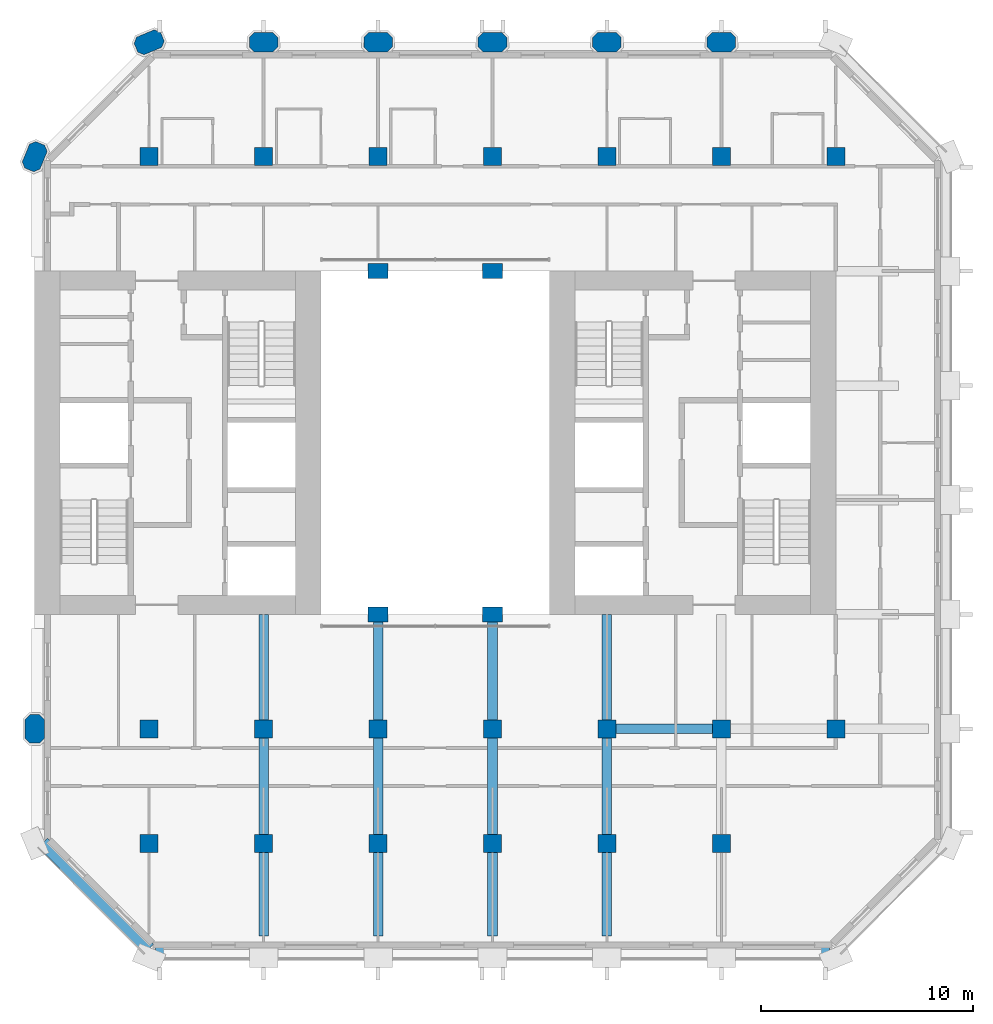
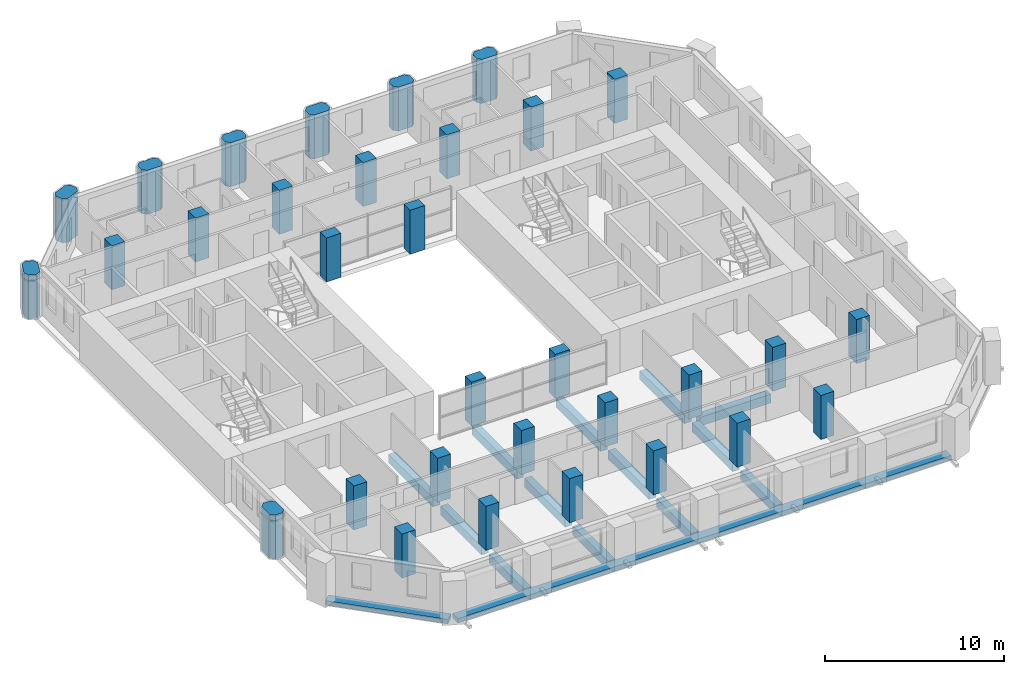
# One storey, part 1 of 13: 32 columns, 15 beams.
"""IFC4 building model written with IfcOpenShell, lengths in metres."""

from ifc_helpers import new_model, si_unit, direction, frame, origin, origin_2d, place, context, subcontext, project, spatial, polyline, rectangle, outline, extrude, material, material_profile, profile_set, type_object, element, save


model = new_model("IFC4")

# Units and contexts
model_context = context("Model", 3, precision=1e-05, world=origin(), true_north=direction((0.0, 1.0)))
body_context = subcontext(model_context, "Body", "Model", "MODEL_VIEW")
ifc_project = project(units=[si_unit("LENGTHUNIT", "METRE"), si_unit("AREAUNIT", "SQUARE_METRE"), si_unit("VOLUMEUNIT", "CUBIC_METRE"), si_unit("PLANEANGLEUNIT", "RADIAN"), si_unit("MASSUNIT", "GRAM", prefix="KILO")], contexts=[model_context])

# Site, building, storey
site_placement = place(None, origin())
site = spatial("IfcSite", under=ifc_project, at=site_placement, CompositionType="ELEMENT")
building_placement = place(site_placement, origin())
building = spatial("IfcBuilding", under=site, at=building_placement, Name="Tabaq Tower and Sports Hall", CompositionType="ELEMENT")
storey_placement = place(building_placement, frame((0.0, 0.0, 169.300048828125)))
storey = spatial("IfcBuildingStorey", under=building, at=storey_placement, Name="L40", CompositionType="ELEMENT", Elevation=169.300048828125)

# Columns
ifc_material_1 = material(Name="Concrete C50/60", Category="concrete")
ifc_material_profile_1 = material_profile(ifc_material_1, rectangle(XDim=0.949951171875, YDim=0.699951171875, at=origin_2d()), Name="ATRIUM COLUMN 950x700")
ifc_profile_set_1 = profile_set([ifc_material_profile_1], Name="Concrete C50/60")
column_type_1 = type_object("IfcColumnType", Name="RC COLUMN ATRIUM COLUMN 950x700 C50/60", PredefinedType="COLUMN", material=ifc_profile_set_1)
for number, where, z_axis, x_axis, name in (
    (1, (21.60009765625, 16.199951171875, 0.0), (0.0, 0.0, 1.0), (1.0, 0.0, 0.0), "Atrium Column 5/D L40"),
    (2, (27.0, 16.199951171875, 0.0), (0.0, 0.0, 1.0), (1.0, 0.0, 0.0), "Atrium Column 6/D L40"),
    (3, (21.60009765625, 32.39990234375, 0.0), (0.0, 0.0, 1.0), (1.0, 0.0, 0.0), "Atrium Column 5/G L40"),
    (4, (27.0, 32.39990234375, 0.0), (0.0, 0.0, 1.0), (1.0, 0.0, 0.0), "Atrium Column 6/G L40"),
):
    element("IfcColumn", number, at=place(storey_placement, frame(where, z_axis=z_axis, x_axis=x_axis)), inside=storey, type_object=column_type_1, Name=name, PredefinedType="COLUMN", context=body_context, shape_type="SweptSolid", body=[
        extrude(rectangle(XDim=0.949951171875, YDim=0.699951171875, at=origin_2d()), origin(), (0.0, 0.0, 1.0), 3.0),
    ])
ifc_material_2 = material(Name="Concrete C50/60", Category="concrete")
ifc_material_profile_2 = material_profile(ifc_material_2, rectangle(XDim=0.85009765625, YDim=0.85009765625, at=origin_2d()), Name="COLUMN 850x850")
ifc_profile_set_2 = profile_set([ifc_material_profile_2], Name="Concrete C50/60")
column_type_2 = type_object("IfcColumnType", Name="RC COLUMN COLUMN 850x850 C50/60", PredefinedType="COLUMN", material=ifc_profile_set_2)
for number, where, z_axis, x_axis, name in (
    (5, (10.800048828125, 5.39990234375, 0.0), (0.0, 0.0, 1.0), (1.0, 0.0, 0.0), "Column 3/B L40"),
    (6, (16.199951171875, 5.39990234375, 0.0), (0.0, 0.0, 1.0), (1.0, 0.0, 0.0), "Column 4/B L40"),
    (7, (21.60009765625, 5.39990234375, 0.0), (0.0, 0.0, 1.0), (1.0, 0.0, 0.0), "Column 5/B L40"),
    (8, (27.0, 5.39990234375, 0.0), (0.0, 0.0, 1.0), (1.0, 0.0, 0.0), "Column 6/B L40"),
    (9, (32.39990234375, 5.39990234375, 0.0), (0.0, 0.0, 1.0), (1.0, 0.0, 0.0), "Column 7/B L40"),
    (10, (37.800048828125, 5.39990234375, 0.0), (0.0, 0.0, 1.0), (1.0, 0.0, 0.0), "Column 8/B L40"),
    (11, (10.800048828125, 10.800048828125, 0.0), (0.0, 0.0, 1.0), (1.0, 0.0, 0.0), "Column 3/C L40"),
    (12, (16.199951171875, 10.800048828125, 0.0), (0.0, 0.0, 1.0), (1.0, 0.0, 0.0), "Column 4/C L40"),
    (13, (21.60009765625, 10.800048828125, 0.0), (0.0, 0.0, 1.0), (1.0, 0.0, 0.0), "Column 5/C L40"),
    (14, (27.0, 10.800048828125, 0.0), (0.0, 0.0, 1.0), (1.0, 0.0, 0.0), "Column 6/C L40"),
    (15, (32.39990234375, 10.800048828125, 0.0), (0.0, 0.0, 1.0), (1.0, 0.0, 0.0), "Column 7/C L40"),
    (16, (37.800048828125, 10.800048828125, 0.0), (0.0, 0.0, 1.0), (1.0, 0.0, 0.0), "Column 8/C L40"),
    (17, (43.199951171875, 10.800048828125, 0.0), (0.0, 0.0, 1.0), (1.0, 0.0, 0.0), "Column 9/C L40"),
    (18, (10.800048828125, 37.800048828125, 0.0), (0.0, 0.0, 1.0), (1.0, 0.0, 0.0), "Column 3/H L40"),
    (19, (16.199951171875, 37.800048828125, 0.0), (0.0, 0.0, 1.0), (1.0, 0.0, 0.0), "Column 4/H L40"),
    (20, (21.60009765625, 37.800048828125, 0.0), (0.0, 0.0, 1.0), (1.0, 0.0, 0.0), "Column 5/H L40"),
    (21, (27.0, 37.800048828125, 0.0), (0.0, 0.0, 1.0), (1.0, 0.0, 0.0), "Column 6/H L40"),
    (22, (32.39990234375, 37.800048828125, 0.0), (0.0, 0.0, 1.0), (1.0, 0.0, 0.0), "Column 7/H L40"),
    (23, (37.800048828125, 37.800048828125, 0.0), (0.0, 0.0, 1.0), (1.0, 0.0, 0.0), "Column 8/H L40"),
    (24, (43.199951171875, 37.800048828125, 0.0), (0.0, 0.0, 1.0), (1.0, 0.0, 0.0), "Column 9/H L40"),
):
    element("IfcColumn", number, at=place(storey_placement, frame(where, z_axis=z_axis, x_axis=x_axis)), inside=storey, type_object=column_type_2, Name=name, PredefinedType="COLUMN", context=body_context, shape_type="SweptSolid", body=[
        extrude(rectangle(XDim=0.85009765625, YDim=0.85009765625, at=origin_2d()), origin(), (0.0, 0.0, 1.0), 3.0),
    ])
ifc_material_3 = material(Name="Concrete C50/60", Category="concrete")
ifc_material_profile_3 = material_profile(ifc_material_3, outline(polyline([(-0.449951171875, -0.449951171875), (0.449951171875, -0.449951171875), (0.675048828125, -0.22509765625), (0.675048828125, 0.22509765625), (0.449951171875, 0.449951171875), (-0.449951171875, 0.449951171875), (-0.675048828125, 0.22509765625), (-0.675048828125, -0.22509765625), (-0.449951171875, -0.449951171875)])), Name="PIER 1350x900")
ifc_profile_set_3 = profile_set([ifc_material_profile_3], Name="Concrete C50/60")
column_type_3 = type_object("IfcColumnType", Name="RC COLUMN PIER 1350x900 C50/60", PredefinedType="COLUMN", material=ifc_profile_set_3)
for number, where, z_axis, x_axis, name in (
    (25, (5.39990234375, 10.800048828125, 0.0), (0.0, 0.0, 1.0), (0.0, 1.0, 0.0), "Pier 2/C L40"),
    (26, (5.39990234375, 37.800048828125, 0.0), (0.0, 0.0, 1.0), (0.382683432365, 0.923879532511, 0.0), "Pier 2/H L40"),
    (27, (10.800048828125, 43.199951171875, 0.0), (0.0, 0.0, 1.0), (0.923879532511, 0.382683432365, 0.0), "Pier 3/I L40"),
    (28, (16.199951171875, 43.199951171875, 0.0), (0.0, 0.0, 1.0), (1.0, 0.0, 0.0), "Pier 4/I L40"),
    (29, (21.60009765625, 43.199951171875, 0.0), (0.0, 0.0, 1.0), (1.0, 0.0, 0.0), "Pier 5/I L40"),
    (30, (27.0, 43.199951171875, 0.0), (0.0, 0.0, 1.0), (1.0, 0.0, 0.0), "Pier 6/I L40"),
    (31, (32.39990234375, 43.199951171875, 0.0), (0.0, 0.0, 1.0), (1.0, 0.0, 0.0), "Pier 7/I L40"),
    (32, (37.800048828125, 43.199951171875, 0.0), (0.0, 0.0, 1.0), (1.0, 0.0, 0.0), "Pier 8/I L40"),
):
    element("IfcColumn", number, at=place(storey_placement, frame(where, z_axis=z_axis, x_axis=x_axis)), inside=storey, type_object=column_type_3, Name=name, PredefinedType="COLUMN", context=body_context, shape_type="SweptSolid", body=[
        extrude(outline(polyline([(-0.449951171875, -0.449951171875), (0.449951171875, -0.449951171875), (0.675048828125, -0.22509765625), (0.675048828125, 0.22509765625), (0.449951171875, 0.449951171875), (-0.449951171875, 0.449951171875), (-0.675048828125, 0.22509765625), (-0.675048828125, -0.22509765625), (-0.449951171875, -0.449951171875)])), origin(), (0.0, 0.0, 1.0), 3.0),
    ])

# Beams
ifc_material_4 = material(Name="Concrete C40/50", Category="concrete")
ifc_material_profile_4 = material_profile(ifc_material_4, rectangle(XDim=0.449951171875, YDim=0.60009765625, at=origin_2d()), Name="CB 450x600")
ifc_profile_set_4 = profile_set([ifc_material_profile_4], Name="Concrete C40/50")
beam_type_1 = type_object("IfcBeamType", Name="PT CANTILEVER BEAM CB 450x600 C40/50", PredefinedType="BEAM", material=ifc_profile_set_4)
beam_1_placement = place(storey_placement, frame((37.375, 10.800048828125, -0.60009765625), z_axis=(-1.0, 0.0, 0.0), x_axis=(0.0, -1.0, 0.0)))
element("IfcBeam", 33, at=beam_1_placement, inside=storey, type_object=beam_type_1, Name="Cantilever Beam L40 E2 span 3", PredefinedType="BEAM", context=body_context, shape_type="SweptSolid", body=[
    extrude(rectangle(XDim=0.449951171875, YDim=0.60009765625, at=origin_2d()), origin(), (0.0, 0.0, 1.0), 4.550048828125),
])
beam_2_placement = place(storey_placement, frame((16.199951171875, 1.02490234375, -0.60009765625), z_axis=(0.0, 1.0, 0.0), x_axis=(-1.0, 0.0, 0.0)))
element("IfcBeam", 34, at=beam_2_placement, inside=storey, type_object=beam_type_1, Name="Cantilever Beam L40 S3 span 1", PredefinedType="BEAM", context=body_context, shape_type="SweptSolid", body=[
    extrude(rectangle(XDim=0.449951171875, YDim=0.60009765625, at=origin_2d()), origin(), (0.0, 0.0, 1.0), 3.9501953125),
])
beam_3_placement = place(storey_placement, frame((16.199951171875, 5.824951171875, -0.60009765625), z_axis=(0.0, 1.0, 0.0), x_axis=(-1.0, 0.0, 0.0)))
element("IfcBeam", 35, at=beam_3_placement, inside=storey, type_object=beam_type_1, Name="Cantilever Beam L40 S3 span 2", PredefinedType="BEAM", context=body_context, shape_type="SweptSolid", body=[
    extrude(rectangle(XDim=0.449951171875, YDim=0.60009765625, at=origin_2d()), origin(), (0.0, 0.0, 1.0), 4.550048828125),
])
beam_4_placement = place(storey_placement, frame((16.199951171875, 11.22509765625, -0.60009765625), z_axis=(0.0, 1.0, 0.0), x_axis=(-1.0, 0.0, 0.0)))
element("IfcBeam", 36, at=beam_4_placement, inside=storey, type_object=beam_type_1, Name="Cantilever Beam L40 S3 span 3", PredefinedType="BEAM", context=body_context, shape_type="SweptSolid", body=[
    extrude(rectangle(XDim=0.449951171875, YDim=0.60009765625, at=origin_2d()), origin(), (0.0, 0.0, 1.0), 4.974853515625),
])
beam_5_placement = place(storey_placement, frame((21.60009765625, 1.02490234375, -0.60009765625), z_axis=(0.0, 1.0, 0.0), x_axis=(-1.0, 0.0, 0.0)))
element("IfcBeam", 37, at=beam_5_placement, inside=storey, type_object=beam_type_1, Name="Cantilever Beam L40 S4 span 1", PredefinedType="BEAM", context=body_context, shape_type="SweptSolid", body=[
    extrude(rectangle(XDim=0.449951171875, YDim=0.60009765625, at=origin_2d()), origin(), (0.0, 0.0, 1.0), 3.9501953125),
])
beam_6_placement = place(storey_placement, frame((21.60009765625, 5.824951171875, -0.60009765625), z_axis=(0.0, 1.0, 0.0), x_axis=(-1.0, 0.0, 0.0)))
element("IfcBeam", 38, at=beam_6_placement, inside=storey, type_object=beam_type_1, Name="Cantilever Beam L40 S4 span 2", PredefinedType="BEAM", context=body_context, shape_type="SweptSolid", body=[
    extrude(rectangle(XDim=0.449951171875, YDim=0.60009765625, at=origin_2d()), origin(), (0.0, 0.0, 1.0), 4.550048828125),
])
beam_7_placement = place(storey_placement, frame((21.60009765625, 11.22509765625, -0.60009765625), z_axis=(0.0, 1.0, 0.0), x_axis=(-1.0, 0.0, 0.0)))
element("IfcBeam", 39, at=beam_7_placement, inside=storey, type_object=beam_type_1, Name="Cantilever Beam L40 S4 span 3", PredefinedType="BEAM", context=body_context, shape_type="SweptSolid", body=[
    extrude(rectangle(XDim=0.449951171875, YDim=0.60009765625, at=origin_2d()), origin(), (0.0, 0.0, 1.0), 4.974853515625),
])
beam_8_placement = place(storey_placement, frame((27.0, 1.02490234375, -0.60009765625), z_axis=(0.0, 1.0, 0.0), x_axis=(-1.0, 0.0, 0.0)))
element("IfcBeam", 40, at=beam_8_placement, inside=storey, type_object=beam_type_1, Name="Cantilever Beam L40 S5 span 1", PredefinedType="BEAM", context=body_context, shape_type="SweptSolid", body=[
    extrude(rectangle(XDim=0.449951171875, YDim=0.60009765625, at=origin_2d()), origin(), (0.0, 0.0, 1.0), 3.9501953125),
])
beam_9_placement = place(storey_placement, frame((27.0, 5.824951171875, -0.60009765625), z_axis=(0.0, 1.0, 0.0), x_axis=(-1.0, 0.0, 0.0)))
element("IfcBeam", 41, at=beam_9_placement, inside=storey, type_object=beam_type_1, Name="Cantilever Beam L40 S5 span 2", PredefinedType="BEAM", context=body_context, shape_type="SweptSolid", body=[
    extrude(rectangle(XDim=0.449951171875, YDim=0.60009765625, at=origin_2d()), origin(), (0.0, 0.0, 1.0), 4.550048828125),
])
beam_10_placement = place(storey_placement, frame((27.0, 11.22509765625, -0.60009765625), z_axis=(0.0, 1.0, 0.0), x_axis=(-1.0, 0.0, 0.0)))
element("IfcBeam", 42, at=beam_10_placement, inside=storey, type_object=beam_type_1, Name="Cantilever Beam L40 S5 span 3", PredefinedType="BEAM", context=body_context, shape_type="SweptSolid", body=[
    extrude(rectangle(XDim=0.449951171875, YDim=0.60009765625, at=origin_2d()), origin(), (0.0, 0.0, 1.0), 4.974853515625),
])
beam_11_placement = place(storey_placement, frame((32.39990234375, 1.02490234375, -0.60009765625), z_axis=(0.0, 1.0, 0.0), x_axis=(-1.0, 0.0, 0.0)))
element("IfcBeam", 43, at=beam_11_placement, inside=storey, type_object=beam_type_1, Name="Cantilever Beam L40 S6 span 1", PredefinedType="BEAM", context=body_context, shape_type="SweptSolid", body=[
    extrude(rectangle(XDim=0.449951171875, YDim=0.60009765625, at=origin_2d()), origin(), (0.0, 0.0, 1.0), 3.9501953125),
])
beam_12_placement = place(storey_placement, frame((32.39990234375, 5.824951171875, -0.60009765625), z_axis=(0.0, 1.0, 0.0), x_axis=(-1.0, 0.0, 0.0)))
element("IfcBeam", 44, at=beam_12_placement, inside=storey, type_object=beam_type_1, Name="Cantilever Beam L40 S6 span 2", PredefinedType="BEAM", context=body_context, shape_type="SweptSolid", body=[
    extrude(rectangle(XDim=0.449951171875, YDim=0.60009765625, at=origin_2d()), origin(), (0.0, 0.0, 1.0), 4.550048828125),
])
beam_13_placement = place(storey_placement, frame((32.39990234375, 11.22509765625, -0.60009765625), z_axis=(0.0, 1.0, 0.0), x_axis=(-1.0, 0.0, 0.0)))
element("IfcBeam", 45, at=beam_13_placement, inside=storey, type_object=beam_type_1, Name="Cantilever Beam L40 S6 span 3", PredefinedType="BEAM", context=body_context, shape_type="SweptSolid", body=[
    extrude(rectangle(XDim=0.449951171875, YDim=0.60009765625, at=origin_2d()), origin(), (0.0, 0.0, 1.0), 4.974853515625),
])
ifc_material_5 = material(Name="Concrete C40/50", Category="concrete")
ifc_material_profile_5 = material_profile(ifc_material_5, rectangle(XDim=0.60009765625, YDim=0.300048828125, at=origin_2d()), Name="EB 600x300")
ifc_profile_set_5 = profile_set([ifc_material_profile_5], Name="Concrete C40/50")
beam_type_2 = type_object("IfcBeamType", Name="PT EDGE BEAM EB 600x300 C40/50", PredefinedType="SPANDREL", material=ifc_profile_set_5)
beam_14_placement = place(storey_placement, frame((11.0986328125, 0.300048828125, -0.150146484375), z_axis=(1.0, 0.0, 0.0), x_axis=(0.0, 1.0, 0.0)))
element("IfcBeam", 46, at=beam_14_placement, inside=storey, type_object=beam_type_2, Name="Edge Beam L40 1", PredefinedType="SPANDREL", context=body_context, shape_type="SweptSolid", body=[
    extrude(rectangle(XDim=0.60009765625, YDim=0.300048828125, at=origin_2d()), origin(), (0.0, 0.0, 1.0), 31.802734375),
])
beam_15_placement = place(storey_placement, frame((5.788818359375, 5.435302734375, -0.150146484375), z_axis=(0.707124002701, -0.707089559252, 0.0), x_axis=(0.707089559252, 0.707124002701, 0.0)))
element("IfcBeam", 47, at=beam_15_placement, inside=storey, type_object=beam_type_2, Name="Edge Beam L40 5", PredefinedType="SPANDREL", context=body_context, shape_type="SweptSolid", body=[
    extrude(rectangle(XDim=0.60009765625, YDim=0.300048828125, at=origin_2d()), origin(), (0.0, 0.0, 1.0), 7.088134765625),
])

save(model, "model.ifc")
